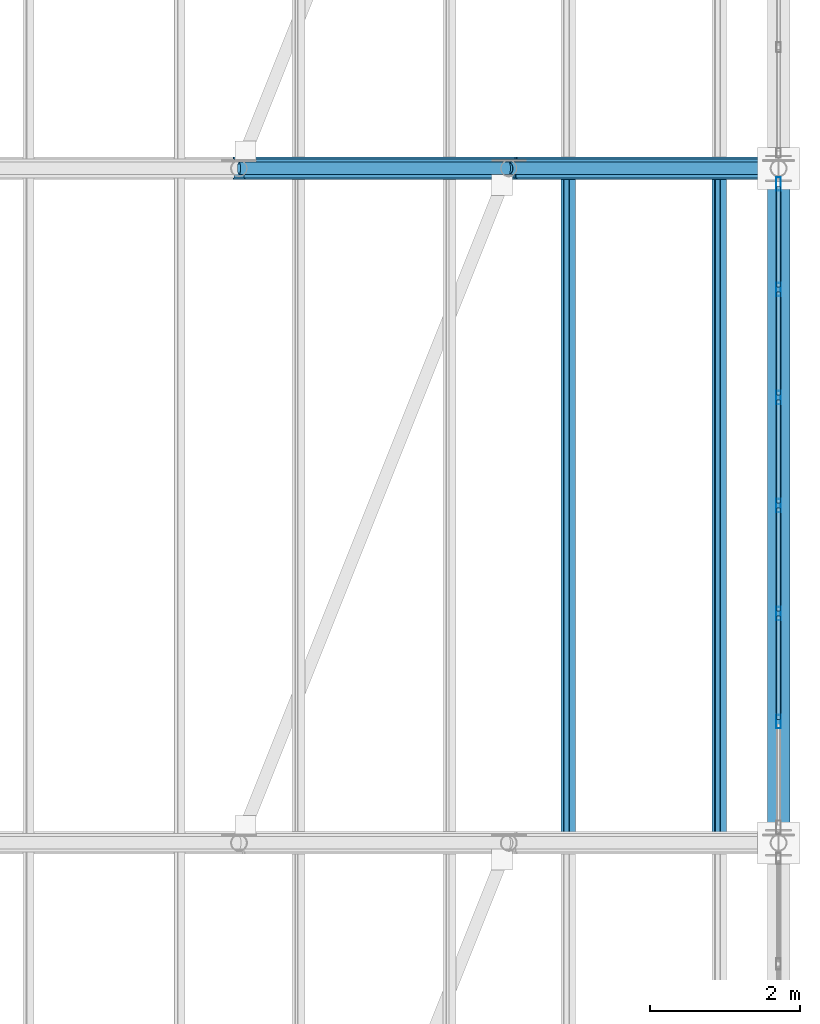
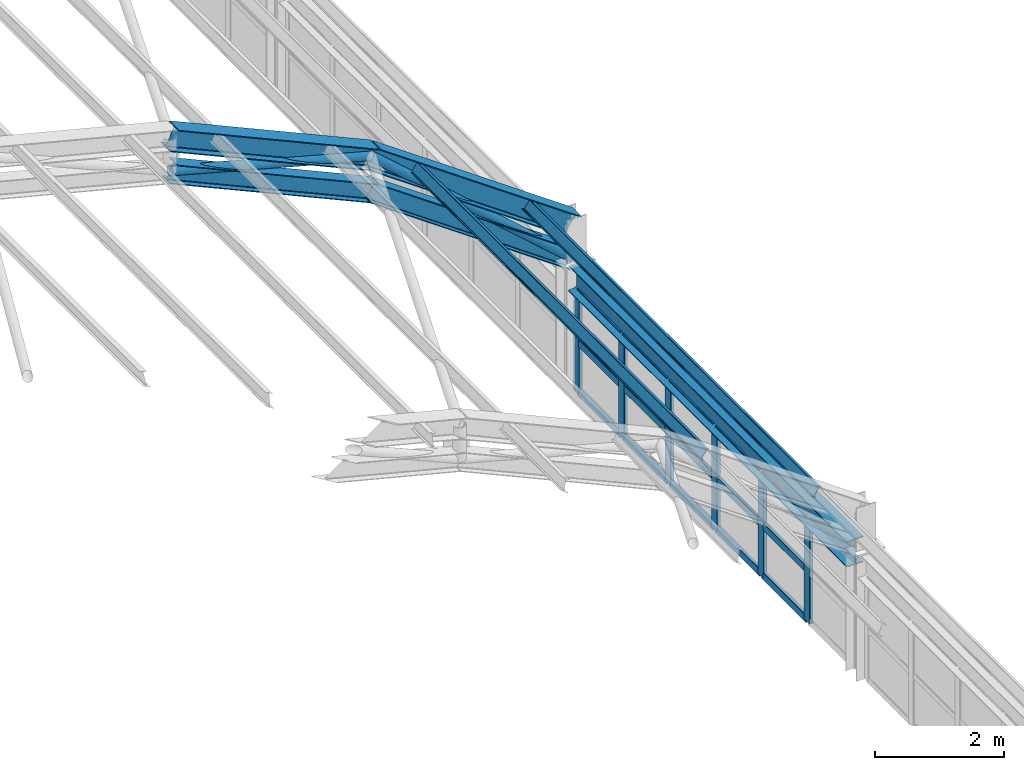
# One storey, part 55 of 121: 27 members, 3 beams, 1 element without a shape of its own.
"""IFC4 building model written with IfcOpenShell, lengths in metres."""

from ifc_helpers import new_model, si_unit, direction, frame, origin, origin_2d, place, context, subcontext, project, spatial, hollow_rectangle, hollow_circle, i_section, extrude, material, material_profile, profile_set, type_object, element, aggregate, save


model = new_model("IFC4")

# Units and contexts
model_context = context("Model", 3, precision=1e-05, world=origin(), true_north=direction((0.0, 1.0)))
body_context = subcontext(model_context, "Body", "Model", "MODEL_VIEW")
ifc_project = project(units=[si_unit("LENGTHUNIT", "METRE"), si_unit("AREAUNIT", "SQUARE_METRE"), si_unit("VOLUMEUNIT", "CUBIC_METRE"), si_unit("PLANEANGLEUNIT", "RADIAN"), si_unit("MASSUNIT", "GRAM", prefix="KILO")], contexts=[model_context])

# Site, building, storey
site_placement = place(None, origin())
site = spatial("IfcSite", under=ifc_project, at=site_placement, CompositionType="ELEMENT")
building_placement = place(site_placement, origin())
building = spatial("IfcBuilding", under=site, at=building_placement, Name="Canglan Escarpment Cableway Terminal", CompositionType="ELEMENT")
storey_placement = place(building_placement, frame((0.0, 0.0, 24.60009765625)))
storey = spatial("IfcBuildingStorey", under=building, at=storey_placement, Name="L05", CompositionType="ELEMENT", Elevation=24.60009765625)

# Beams
ifc_material_1 = material(Name="Steel Q355B", Category="steel")
ifc_material_profile_1 = material_profile(ifc_material_1, i_section(OverallWidth=0.300048828125, OverallDepth=0.389892578125, WebThickness=0.010009765625, FlangeThickness=0.01611328125, FilletRadius=0.02197265625, at=origin_2d()), Name="HM 390x300x10x16")
ifc_profile_set_1 = profile_set([ifc_material_profile_1], Name="Steel Q355B")
beam_type_1 = type_object("IfcBeamType", Name="BM-ARCH-TOP-HM390", PredefinedType="BEAM", material=ifc_profile_set_1)
beam_1_placement = place(storey_placement, frame((159.199951171875, 79.0, 7.23828125), z_axis=(0.911752518833, 0.0, -0.410739996108), x_axis=(0.0, 1.0, 0.0)))
element("IfcBeam", 1, at=beam_1_placement, inside=storey, type_object=beam_type_1, Name="Vault ROOF TRUSS arch top chord AR-TC1", PredefinedType="BEAM", context=body_context, shape_type="SweptSolid", body=[
    extrude(i_section(OverallWidth=0.300048828125, OverallDepth=0.389892578125, WebThickness=0.010009765625, FlangeThickness=0.01611328125, FilletRadius=0.02197265625, at=origin_2d()), origin(), (0.0, 0.0, 1.0), 3.948486328125),
])
beam_2_placement = place(storey_placement, frame((162.800048828125, 79.0, 5.616455078125), z_axis=(0.817731009495, 0.0, -0.575600552563), x_axis=(0.0, 1.0, 0.0)))
element("IfcBeam", 2, at=beam_2_placement, inside=storey, type_object=beam_type_1, Name="Vault ROOF TRUSS arch top chord AR-TC1", PredefinedType="BEAM", context=body_context, shape_type="SweptSolid", body=[
    extrude(i_section(OverallWidth=0.300048828125, OverallDepth=0.389892578125, WebThickness=0.010009765625, FlangeThickness=0.01611328125, FilletRadius=0.02197265625, at=origin_2d()), origin(), (0.0, 0.0, 1.0), 4.40234375),
])
ifc_material_profile_2 = material_profile(ifc_material_1, i_section(OverallWidth=0.300048828125, OverallDepth=0.488037109375, WebThickness=0.010986328125, FlangeThickness=0.01806640625, FilletRadius=0.02587890625, at=origin_2d()), Name="HM 488x300x11x18")
ifc_profile_set_2 = profile_set([ifc_material_profile_2], Name="Steel Q355B")
beam_type_2 = type_object("IfcBeamType", Name="BM-HM488", PredefinedType="BEAM", material=ifc_profile_set_2)
beam_3_placement = place(storey_placement, frame((166.39990234375, 70.175048828125, 2.1884765625), z_axis=(0.0, 1.0, 0.0), x_axis=(-1.0, 0.0, 0.0)))
element("IfcBeam", 3, at=beam_3_placement, inside=storey, type_object=beam_type_2, Name="Vault springing ring girder B-09", PredefinedType="BEAM", context=body_context, shape_type="SweptSolid", body=[
    extrude(i_section(OverallWidth=0.300048828125, OverallDepth=0.488037109375, WebThickness=0.010986328125, FlangeThickness=0.01806640625, FilletRadius=0.02587890625, at=origin_2d()), origin(), (0.0, 0.0, 1.0), 8.64990234375),
])

# Curtain wall, members
ifc_material_2 = material(Name="Anodized bronze aluminium and Low-E double glazing", Category="aluminium")
curtain_wall_type = type_object("IfcCurtainWallType", Name="CW-BAY-8650x1950", PredefinedType="NOTDEFINED", material=ifc_material_2)
curtain_wall_placement = place(storey_placement, origin())
curtain_wall = element("IfcCurtainWall", 4, at=curtain_wall_placement, inside=storey, type_object=curtain_wall_type, Name="Classical bay-between-piers glazed curtain wall CW-66", PredefinedType="NOTDEFINED")
ifc_material_3 = material(Name="Thermally broken anodized aluminium 6063-T6", Category="aluminium")
ifc_material_profile_3 = material_profile(ifc_material_3, hollow_rectangle(XDim=0.06494140625, YDim=0.179931640625, WallThickness=0.00390625, InnerFilletRadius=0.00390625, OuterFilletRadius=0.008056640625, at=origin_2d()), Name="ALU-MULL 65x180x4")
ifc_profile_set_3 = profile_set([ifc_material_profile_3], Name="Thermally broken anodized aluminium 6063-T6")
member_type_1 = type_object("IfcMemberType", Name="CWM-03", PredefinedType="MULLION", material=ifc_profile_set_3)
member_1_placement = place(storey_placement, frame((166.39990234375, 71.61669921875, 0.0), z_axis=(0.0, 0.0, 1.0), x_axis=(-1.0, 0.0, 0.0)))
member_1 = element("IfcMember", 5, at=member_1_placement, type_object=member_type_1, Name="CW-66 mullion 2", PredefinedType="MULLION", context=body_context, shape_type="SweptSolid", body=[
    extrude(hollow_rectangle(XDim=0.06494140625, YDim=0.179931640625, WallThickness=0.00390625, InnerFilletRadius=0.00390625, OuterFilletRadius=0.008056640625, at=origin_2d()), origin(), (0.0, 0.0, 1.0), 1.949951171875),
])
member_2_placement = place(storey_placement, frame((166.39990234375, 73.058349609375, 0.0), z_axis=(0.0, 0.0, 1.0), x_axis=(-1.0, 0.0, 0.0)))
member_2 = element("IfcMember", 6, at=member_2_placement, type_object=member_type_1, Name="CW-66 mullion 3", PredefinedType="MULLION", context=body_context, shape_type="SweptSolid", body=[
    extrude(hollow_rectangle(XDim=0.06494140625, YDim=0.179931640625, WallThickness=0.00390625, InnerFilletRadius=0.00390625, OuterFilletRadius=0.008056640625, at=origin_2d()), origin(), (0.0, 0.0, 1.0), 1.949951171875),
])
member_3_placement = place(storey_placement, frame((166.39990234375, 74.5, 0.0), z_axis=(0.0, 0.0, 1.0), x_axis=(-1.0, 0.0, 0.0)))
member_3 = element("IfcMember", 7, at=member_3_placement, type_object=member_type_1, Name="CW-66 mullion 4", PredefinedType="MULLION", context=body_context, shape_type="SweptSolid", body=[
    extrude(hollow_rectangle(XDim=0.06494140625, YDim=0.179931640625, WallThickness=0.00390625, InnerFilletRadius=0.00390625, OuterFilletRadius=0.008056640625, at=origin_2d()), origin(), (0.0, 0.0, 1.0), 1.949951171875),
])
member_4_placement = place(storey_placement, frame((166.39990234375, 75.941650390625, 0.0), z_axis=(0.0, 0.0, 1.0), x_axis=(-1.0, 0.0, 0.0)))
member_4 = element("IfcMember", 8, at=member_4_placement, type_object=member_type_1, Name="CW-66 mullion 5", PredefinedType="MULLION", context=body_context, shape_type="SweptSolid", body=[
    extrude(hollow_rectangle(XDim=0.06494140625, YDim=0.179931640625, WallThickness=0.00390625, InnerFilletRadius=0.00390625, OuterFilletRadius=0.008056640625, at=origin_2d()), origin(), (0.0, 0.0, 1.0), 1.949951171875),
])
member_5_placement = place(storey_placement, frame((166.39990234375, 77.38330078125, 0.0), z_axis=(0.0, 0.0, 1.0), x_axis=(-1.0, 0.0, 0.0)))
member_5 = element("IfcMember", 9, at=member_5_placement, type_object=member_type_1, Name="CW-66 mullion 6", PredefinedType="MULLION", context=body_context, shape_type="SweptSolid", body=[
    extrude(hollow_rectangle(XDim=0.06494140625, YDim=0.179931640625, WallThickness=0.00390625, InnerFilletRadius=0.00390625, OuterFilletRadius=0.008056640625, at=origin_2d()), origin(), (0.0, 0.0, 1.0), 1.949951171875),
])
member_6_placement = place(storey_placement, frame((166.39990234375, 78.79248046875, 0.0), z_axis=(0.0, 0.0, 1.0), x_axis=(-1.0, 0.0, 0.0)))
member_6 = element("IfcMember", 10, at=member_6_placement, type_object=member_type_1, Name="CW-66 mullion 7", PredefinedType="MULLION", context=body_context, shape_type="SweptSolid", body=[
    extrude(hollow_rectangle(XDim=0.06494140625, YDim=0.179931640625, WallThickness=0.00390625, InnerFilletRadius=0.00390625, OuterFilletRadius=0.008056640625, at=origin_2d()), origin(), (0.0, 0.0, 1.0), 1.949951171875),
])
ifc_material_profile_4 = material_profile(ifc_material_3, hollow_rectangle(XDim=0.06494140625, YDim=0.139892578125, WallThickness=0.00341796875, InnerFilletRadius=0.00341796875, OuterFilletRadius=0.007080078125, at=origin_2d()), Name="ALU-TRAN 65x140x3.5")
ifc_profile_set_4 = profile_set([ifc_material_profile_4], Name="Thermally broken anodized aluminium 6063-T6")
member_type_2 = type_object("IfcMemberType", Name="CWT-03", PredefinedType="USERDEFINED", material=ifc_profile_set_4)
member_7_placement = place(storey_placement, frame((166.39990234375, 71.649169921875, 0.032470703125), z_axis=(0.0, 1.0, 0.0), x_axis=(-1.0, 0.0, 0.0)))
member_7 = element("IfcMember", 11, at=member_7_placement, type_object=member_type_2, Name="CW-66 transom 2.1", ObjectType="TRANSOM", PredefinedType="USERDEFINED", context=body_context, shape_type="SweptSolid", body=[
    extrude(hollow_rectangle(XDim=0.06494140625, YDim=0.139892578125, WallThickness=0.00341796875, InnerFilletRadius=0.00341796875, OuterFilletRadius=0.007080078125, at=origin_2d()), origin(), (0.0, 0.0, 1.0), 1.376708984375),
])
member_8_placement = place(storey_placement, frame((166.39990234375, 71.649169921875, 0.974853515625), z_axis=(0.0, 1.0, 0.0), x_axis=(-1.0, 0.0, 0.0)))
member_8 = element("IfcMember", 12, at=member_8_placement, type_object=member_type_2, Name="CW-66 transom 2.2", ObjectType="TRANSOM", PredefinedType="USERDEFINED", context=body_context, shape_type="SweptSolid", body=[
    extrude(hollow_rectangle(XDim=0.06494140625, YDim=0.139892578125, WallThickness=0.00341796875, InnerFilletRadius=0.00341796875, OuterFilletRadius=0.007080078125, at=origin_2d()), origin(), (0.0, 0.0, 1.0), 1.376708984375),
])
member_9_placement = place(storey_placement, frame((166.39990234375, 71.649169921875, 1.91748046875), z_axis=(0.0, 1.0, 0.0), x_axis=(-1.0, 0.0, 0.0)))
member_9 = element("IfcMember", 13, at=member_9_placement, type_object=member_type_2, Name="CW-66 transom 2.3", ObjectType="TRANSOM", PredefinedType="USERDEFINED", context=body_context, shape_type="SweptSolid", body=[
    extrude(hollow_rectangle(XDim=0.06494140625, YDim=0.139892578125, WallThickness=0.00341796875, InnerFilletRadius=0.00341796875, OuterFilletRadius=0.007080078125, at=origin_2d()), origin(), (0.0, 0.0, 1.0), 1.376708984375),
])
member_10_placement = place(storey_placement, frame((166.39990234375, 73.0908203125, 0.032470703125), z_axis=(0.0, 1.0, 0.0), x_axis=(-1.0, 0.0, 0.0)))
member_10 = element("IfcMember", 14, at=member_10_placement, type_object=member_type_2, Name="CW-66 transom 3.1", ObjectType="TRANSOM", PredefinedType="USERDEFINED", context=body_context, shape_type="SweptSolid", body=[
    extrude(hollow_rectangle(XDim=0.06494140625, YDim=0.139892578125, WallThickness=0.00341796875, InnerFilletRadius=0.00341796875, OuterFilletRadius=0.007080078125, at=origin_2d()), origin(), (0.0, 0.0, 1.0), 1.376708984375),
])
member_11_placement = place(storey_placement, frame((166.39990234375, 73.0908203125, 0.974853515625), z_axis=(0.0, 1.0, 0.0), x_axis=(-1.0, 0.0, 0.0)))
member_11 = element("IfcMember", 15, at=member_11_placement, type_object=member_type_2, Name="CW-66 transom 3.2", ObjectType="TRANSOM", PredefinedType="USERDEFINED", context=body_context, shape_type="SweptSolid", body=[
    extrude(hollow_rectangle(XDim=0.06494140625, YDim=0.139892578125, WallThickness=0.00341796875, InnerFilletRadius=0.00341796875, OuterFilletRadius=0.007080078125, at=origin_2d()), origin(), (0.0, 0.0, 1.0), 1.376708984375),
])
member_12_placement = place(storey_placement, frame((166.39990234375, 73.0908203125, 1.91748046875), z_axis=(0.0, 1.0, 0.0), x_axis=(-1.0, 0.0, 0.0)))
member_12 = element("IfcMember", 16, at=member_12_placement, type_object=member_type_2, Name="CW-66 transom 3.3", ObjectType="TRANSOM", PredefinedType="USERDEFINED", context=body_context, shape_type="SweptSolid", body=[
    extrude(hollow_rectangle(XDim=0.06494140625, YDim=0.139892578125, WallThickness=0.00341796875, InnerFilletRadius=0.00341796875, OuterFilletRadius=0.007080078125, at=origin_2d()), origin(), (0.0, 0.0, 1.0), 1.376708984375),
])
member_13_placement = place(storey_placement, frame((166.39990234375, 74.532470703125, 0.032470703125), z_axis=(0.0, 1.0, 0.0), x_axis=(-1.0, 0.0, 0.0)))
member_13 = element("IfcMember", 17, at=member_13_placement, type_object=member_type_2, Name="CW-66 transom 4.1", ObjectType="TRANSOM", PredefinedType="USERDEFINED", context=body_context, shape_type="SweptSolid", body=[
    extrude(hollow_rectangle(XDim=0.06494140625, YDim=0.139892578125, WallThickness=0.00341796875, InnerFilletRadius=0.00341796875, OuterFilletRadius=0.007080078125, at=origin_2d()), origin(), (0.0, 0.0, 1.0), 1.376708984375),
])
member_14_placement = place(storey_placement, frame((166.39990234375, 74.532470703125, 0.974853515625), z_axis=(0.0, 1.0, 0.0), x_axis=(-1.0, 0.0, 0.0)))
member_14 = element("IfcMember", 18, at=member_14_placement, type_object=member_type_2, Name="CW-66 transom 4.2", ObjectType="TRANSOM", PredefinedType="USERDEFINED", context=body_context, shape_type="SweptSolid", body=[
    extrude(hollow_rectangle(XDim=0.06494140625, YDim=0.139892578125, WallThickness=0.00341796875, InnerFilletRadius=0.00341796875, OuterFilletRadius=0.007080078125, at=origin_2d()), origin(), (0.0, 0.0, 1.0), 1.376708984375),
])
member_15_placement = place(storey_placement, frame((166.39990234375, 74.532470703125, 1.91748046875), z_axis=(0.0, 1.0, 0.0), x_axis=(-1.0, 0.0, 0.0)))
member_15 = element("IfcMember", 19, at=member_15_placement, type_object=member_type_2, Name="CW-66 transom 4.3", ObjectType="TRANSOM", PredefinedType="USERDEFINED", context=body_context, shape_type="SweptSolid", body=[
    extrude(hollow_rectangle(XDim=0.06494140625, YDim=0.139892578125, WallThickness=0.00341796875, InnerFilletRadius=0.00341796875, OuterFilletRadius=0.007080078125, at=origin_2d()), origin(), (0.0, 0.0, 1.0), 1.376708984375),
])
member_16_placement = place(storey_placement, frame((166.39990234375, 75.97412109375, 0.032470703125), z_axis=(0.0, 1.0, 0.0), x_axis=(-1.0, 0.0, 0.0)))
member_16 = element("IfcMember", 20, at=member_16_placement, type_object=member_type_2, Name="CW-66 transom 5.1", ObjectType="TRANSOM", PredefinedType="USERDEFINED", context=body_context, shape_type="SweptSolid", body=[
    extrude(hollow_rectangle(XDim=0.06494140625, YDim=0.139892578125, WallThickness=0.00341796875, InnerFilletRadius=0.00341796875, OuterFilletRadius=0.007080078125, at=origin_2d()), origin(), (0.0, 0.0, 1.0), 1.376708984375),
])
member_17_placement = place(storey_placement, frame((166.39990234375, 75.97412109375, 0.974853515625), z_axis=(0.0, 1.0, 0.0), x_axis=(-1.0, 0.0, 0.0)))
member_17 = element("IfcMember", 21, at=member_17_placement, type_object=member_type_2, Name="CW-66 transom 5.2", ObjectType="TRANSOM", PredefinedType="USERDEFINED", context=body_context, shape_type="SweptSolid", body=[
    extrude(hollow_rectangle(XDim=0.06494140625, YDim=0.139892578125, WallThickness=0.00341796875, InnerFilletRadius=0.00341796875, OuterFilletRadius=0.007080078125, at=origin_2d()), origin(), (0.0, 0.0, 1.0), 1.376708984375),
])
member_18_placement = place(storey_placement, frame((166.39990234375, 75.97412109375, 1.91748046875), z_axis=(0.0, 1.0, 0.0), x_axis=(-1.0, 0.0, 0.0)))
member_18 = element("IfcMember", 22, at=member_18_placement, type_object=member_type_2, Name="CW-66 transom 5.3", ObjectType="TRANSOM", PredefinedType="USERDEFINED", context=body_context, shape_type="SweptSolid", body=[
    extrude(hollow_rectangle(XDim=0.06494140625, YDim=0.139892578125, WallThickness=0.00341796875, InnerFilletRadius=0.00341796875, OuterFilletRadius=0.007080078125, at=origin_2d()), origin(), (0.0, 0.0, 1.0), 1.376708984375),
])
member_19_placement = place(storey_placement, frame((166.39990234375, 77.415771484375, 0.032470703125), z_axis=(0.0, 1.0, 0.0), x_axis=(-1.0, 0.0, 0.0)))
member_19 = element("IfcMember", 23, at=member_19_placement, type_object=member_type_2, Name="CW-66 transom 6.1", ObjectType="TRANSOM", PredefinedType="USERDEFINED", context=body_context, shape_type="SweptSolid", body=[
    extrude(hollow_rectangle(XDim=0.06494140625, YDim=0.139892578125, WallThickness=0.00341796875, InnerFilletRadius=0.00341796875, OuterFilletRadius=0.007080078125, at=origin_2d()), origin(), (0.0, 0.0, 1.0), 1.34423828125),
])
member_20_placement = place(storey_placement, frame((166.39990234375, 77.415771484375, 0.974853515625), z_axis=(0.0, 1.0, 0.0), x_axis=(-1.0, 0.0, 0.0)))
member_20 = element("IfcMember", 24, at=member_20_placement, type_object=member_type_2, Name="CW-66 transom 6.2", ObjectType="TRANSOM", PredefinedType="USERDEFINED", context=body_context, shape_type="SweptSolid", body=[
    extrude(hollow_rectangle(XDim=0.06494140625, YDim=0.139892578125, WallThickness=0.00341796875, InnerFilletRadius=0.00341796875, OuterFilletRadius=0.007080078125, at=origin_2d()), origin(), (0.0, 0.0, 1.0), 1.34423828125),
])
member_21_placement = place(storey_placement, frame((166.39990234375, 77.415771484375, 1.91748046875), z_axis=(0.0, 1.0, 0.0), x_axis=(-1.0, 0.0, 0.0)))
member_21 = element("IfcMember", 25, at=member_21_placement, type_object=member_type_2, Name="CW-66 transom 6.3", ObjectType="TRANSOM", PredefinedType="USERDEFINED", context=body_context, shape_type="SweptSolid", body=[
    extrude(hollow_rectangle(XDim=0.06494140625, YDim=0.139892578125, WallThickness=0.00341796875, InnerFilletRadius=0.00341796875, OuterFilletRadius=0.007080078125, at=origin_2d()), origin(), (0.0, 0.0, 1.0), 1.34423828125),
])
aggregate(curtain_wall, [member_1, member_2, member_3, member_4, member_5, member_6, member_7, member_8, member_9, member_10, member_11, member_12, member_13, member_14, member_15, member_16, member_17, member_18, member_19, member_20, member_21])

# Members
ifc_material_profile_5 = material_profile(ifc_material_1, i_section(OverallWidth=0.25, OverallDepth=0.340087890625, WebThickness=0.009033203125, FlangeThickness=0.013916015625, FilletRadius=0.02001953125, at=origin_2d()), Name="HM 340x250x9x14")
ifc_profile_set_5 = profile_set([ifc_material_profile_5], Name="Steel Q355B")
member_type_3 = type_object("IfcMemberType", Name="MB-ARCH-BOT-HM340", PredefinedType="CHORD", material=ifc_profile_set_5)
member_22_placement = place(storey_placement, frame((159.199951171875, 79.0, 6.58837890625), z_axis=(0.911752518833, 0.0, -0.410739996108), x_axis=(0.0, 1.0, 0.0)))
element("IfcMember", 26, at=member_22_placement, inside=storey, type_object=member_type_3, Name="Vault ROOF TRUSS arch bottom chord AR-BC1", PredefinedType="CHORD", context=body_context, shape_type="SweptSolid", body=[
    extrude(i_section(OverallWidth=0.25, OverallDepth=0.340087890625, WebThickness=0.009033203125, FlangeThickness=0.013916015625, FilletRadius=0.02001953125, at=origin_2d()), origin(), (0.0, 0.0, 1.0), 3.948486328125),
])
member_23_placement = place(storey_placement, frame((162.800048828125, 79.0, 4.966552734375), z_axis=(0.81770490607, 0.0, -0.575637634792), x_axis=(0.0, 1.0, 0.0)))
element("IfcMember", 27, at=member_23_placement, inside=storey, type_object=member_type_3, Name="Vault ROOF TRUSS arch bottom chord AR-BC1", PredefinedType="CHORD", context=body_context, shape_type="SweptSolid", body=[
    extrude(i_section(OverallWidth=0.25, OverallDepth=0.340087890625, WebThickness=0.009033203125, FlangeThickness=0.013916015625, FilletRadius=0.02001953125, at=origin_2d()), origin(), (0.0, 0.0, 1.0), 4.40234375),
])
ifc_material_profile_6 = material_profile(ifc_material_1, hollow_circle(Radius=0.084228515625, WallThickness=0.006103515625, at=origin_2d()), Name="CHS 168.3x6")
ifc_profile_set_6 = profile_set([ifc_material_profile_6], Name="Steel Q355B")
member_type_4 = type_object("IfcMemberType", Name="MB-ARCH-DIAG-CHS168", PredefinedType="BRACE", material=ifc_profile_set_6)
member_24_placement = place(storey_placement, frame((159.199951171875, 79.0, 6.58837890625), z_axis=(0.96543600217, 0.0, -0.260640222748), x_axis=(0.0, 1.0, 0.0)))
element("IfcMember", 28, at=member_24_placement, inside=storey, type_object=member_type_4, Name="Vault ROOF TRUSS web diagonal AR-DG1", PredefinedType="BRACE", context=body_context, shape_type="SweptSolid", body=[
    extrude(hollow_circle(Radius=0.084228515625, WallThickness=0.006103515625, at=origin_2d()), origin(), (0.0, 0.0, 1.0), 3.72900390625),
])
member_25_placement = place(storey_placement, frame((162.800048828125, 79.0, 5.616455078125), z_axis=(0.749038254518, 0.0, -0.662526749096), x_axis=(0.0, 1.0, 0.0)))
element("IfcMember", 29, at=member_25_placement, inside=storey, type_object=member_type_4, Name="Vault ROOF TRUSS web diagonal AR-DG1", PredefinedType="BRACE", context=body_context, shape_type="SweptSolid", body=[
    extrude(hollow_circle(Radius=0.084228515625, WallThickness=0.006103515625, at=origin_2d()), origin(), (0.0, 0.0, 1.0), 4.805908203125),
])
ifc_material_profile_7 = material_profile(ifc_material_1, i_section(OverallWidth=0.10009765625, OverallDepth=0.199951171875, WebThickness=0.005615234375, FlangeThickness=0.008056640625, FilletRadius=0.010986328125, at=origin_2d()), Name="HN 200x100x5.5x8")
ifc_profile_set_7 = profile_set([ifc_material_profile_7], Name="Steel Q355B")
member_type_5 = type_object("IfcMemberType", Name="MB-VAULT-PUR-HN200", PredefinedType="PURLIN", material=ifc_profile_set_7)
for number, where, z_axis, x_axis, name in (
    (30, (163.592041015625, 70.0, 5.1318359375), (0.0, 1.0, 0.0), (-0.817727996784, 0.0, 0.575604832568), "Barrel-vault roof purlin PR-01"),
    (31, (165.60791015625, 70.0, 3.712890625), (0.0, 1.0, 0.0), (-0.817727996784, 0.0, 0.575604832568), "Barrel-vault roof purlin PR-01"),
):
    element("IfcMember", number, at=place(storey_placement, frame(where, z_axis=z_axis, x_axis=x_axis)), inside=storey, type_object=member_type_5, Name=name, PredefinedType="PURLIN", context=body_context, shape_type="SweptSolid", body=[
        extrude(i_section(OverallWidth=0.10009765625, OverallDepth=0.199951171875, WebThickness=0.005615234375, FlangeThickness=0.008056640625, FilletRadius=0.010986328125, at=origin_2d()), origin(), (0.0, 0.0, 1.0), 9.0),
    ])

save(model, "model.ifc")
